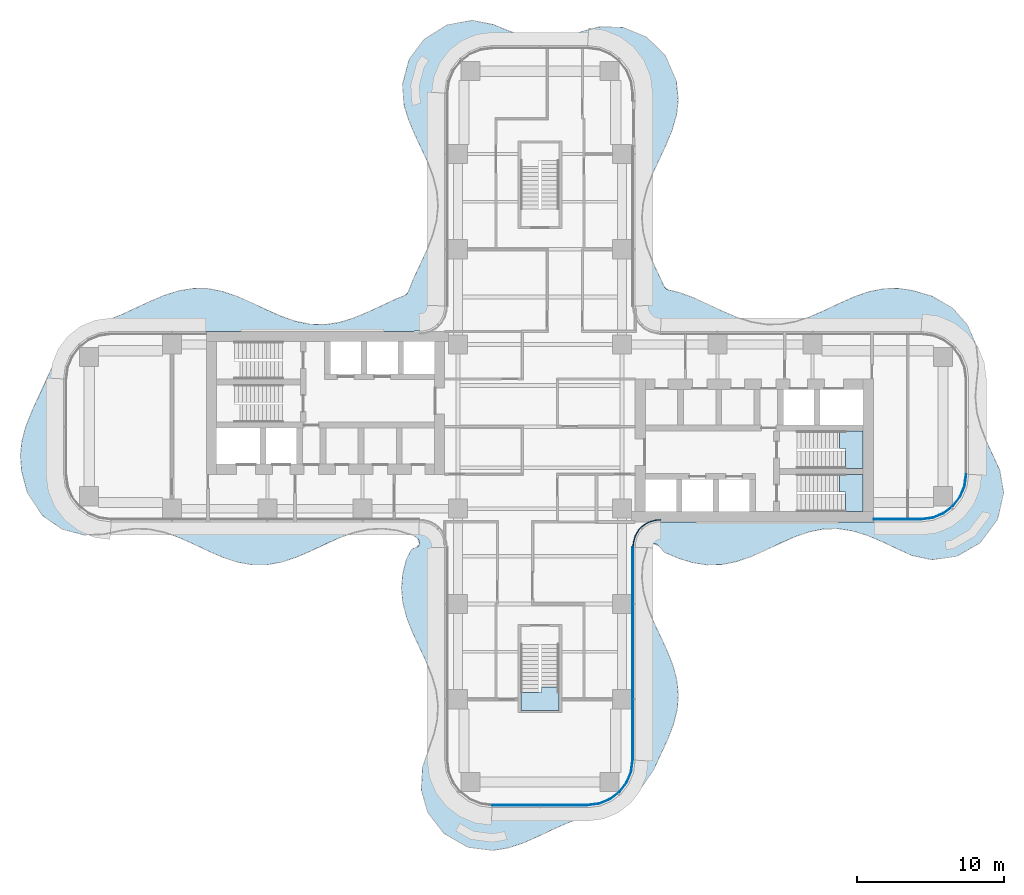
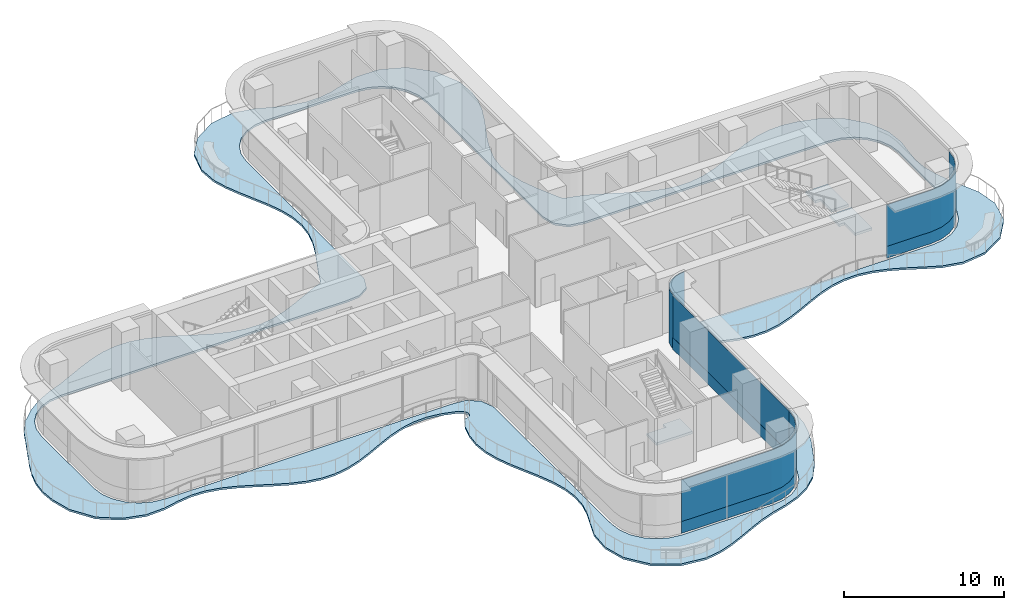
# One storey, part 13 of 20: 7 plates, 4 slabs, 7 elements without a shape of their own.
"""IFC4 building model written with IfcOpenShell, lengths in metres."""

from ifc_helpers import new_model, si_unit, direction, frame, origin, place, context, subcontext, project, spatial, polyline, outline, extrude, source, transform, mapped, material, layer, layer_set, type_object, element, aggregate, save


model = new_model("IFC4")

# Units and contexts
model_context = context("Model", 3, precision=1e-05, world=origin(), true_north=direction((0.0, 1.0)))
body_context = subcontext(model_context, "Body", "Model", "MODEL_VIEW")
ifc_project = project(units=[si_unit("LENGTHUNIT", "METRE"), si_unit("AREAUNIT", "SQUARE_METRE"), si_unit("VOLUMEUNIT", "CUBIC_METRE"), si_unit("PLANEANGLEUNIT", "RADIAN"), si_unit("MASSUNIT", "GRAM", prefix="KILO")], contexts=[model_context])

# Site, building, storey
site_placement = place(None, origin())
site = spatial("IfcSite", under=ifc_project, at=site_placement, CompositionType="ELEMENT")
building_placement = place(site_placement, origin())
building = spatial("IfcBuilding", under=site, at=building_placement, Name="Trellis Farm Tower", CompositionType="ELEMENT")
storey_placement = place(building_placement, frame((0.0, 0.0, 129.0)))
storey = spatial("IfcBuildingStorey", under=building, at=storey_placement, Name="L27", CompositionType="ELEMENT", Elevation=129.0)

# Slab
ifc_material_1 = material(Name="Concrete C40/50", Category="concrete")
ifc_layer_1 = layer(ifc_material_1, 0.14990234375)
ifc_layer_set_1 = layer_set([ifc_layer_1], Name="Balcony slab 150")
slab_type_1 = type_object("IfcSlabType", Name="Balcony slab 150", PredefinedType="FLOOR", material=ifc_layer_set_1)
slab_1_placement = place(storey_placement, frame((0.0, 0.0, -0.14990234375)))
element("IfcSlab", 1, at=slab_1_placement, inside=storey, type_object=slab_type_1, Name="Balcony slab", PredefinedType="FLOOR", context=body_context, shape_type="SweptSolid", body=[
    extrude(outline(polyline([(-25.611328125, -7.214111328125), (-26.648681640625, -6.99609375), (-26.66162109375, -6.994384765625), (-27.646484375, -6.962158203125), (-27.659423828125, -6.962890625), (-28.62890625, -7.1005859375), (-28.634521484375, -7.1015625), (-29.731689453125, -7.33984375), (-29.75732421875, -7.343017578125), (-31.07080078125, -7.397216796875), (-31.115478515625, -7.39208984375), (-32.5546875, -7.009521484375), (-32.6005859375, -6.98828125), (-33.923583984375, -6.084716796875), (-33.946044921875, -6.06591796875), (-33.972412109375, -6.039306640625), (-33.990966796875, -6.01611328125), (-34.96044921875, -4.528564453125), (-34.979736328125, -4.485107421875), (-35.3623046875, -3.04443359375), (-35.366943359375, -3.017578125), (-35.447021484375, -1.99169921875), (-35.44677734375, -1.964599609375), (-35.34716796875, -0.9951171875), (-35.3427734375, -0.9716796875), (-35.08251953125, 0.001220703125), (-35.076904296875, 0.017333984375), (-34.6904296875, 0.99755859375), (-34.68701171875, 1.005615234375), (-33.76123046875, 2.999267578125), (-33.7607421875, 3.0), (-33.252197265625, 4.1357421875), (-33.239013671875, 4.1591796875), (-32.529296875, 5.19921875), (-32.509033203125, 5.222900390625), (-31.691162109375, 6.006103515625), (-31.673583984375, 6.0205078125), (-30.75927734375, 6.664794921875), (-30.739501953125, 6.676513671875), (-29.72265625, 7.18115234375), (-29.710205078125, 7.1865234375), (-28.61181640625, 7.613037109375), (-28.607421875, 7.614990234375), (-26.63037109375, 8.53271484375), (-26.6259765625, 8.534912109375), (-25.642578125, 8.95361328125), (-25.62890625, 8.95849609375), (-24.62939453125, 9.2734375), (-24.607666015625, 9.278564453125), (-23.632080078125, 9.432861328125), (-23.605712890625, 9.4345703125), (-22.635498046875, 9.415283203125), (-22.610107421875, 9.41259765625), (-21.66259765625, 9.2294921875), (-21.642822265625, 9.22412109375), (-20.643310546875, 8.884033203125), (-20.631103515625, 8.87939453125), (-19.6513671875, 8.447998046875), (-19.6474609375, 8.4462890625), (-18.655517578125, 7.974365234375), (-18.653564453125, 7.973388671875), (-17.66943359375, 7.53759765625), (-17.663818359375, 7.535400390625), (-16.68359375, 7.195068359375), (-16.674072265625, 7.1923828125), (-15.695556640625, 6.99365234375), (-15.682861328125, 6.9921875), (-14.700439453125, 6.963134765625), (-14.687255859375, 6.9638671875), (-13.697265625, 7.111083984375), (-13.68603515625, 7.11376953125), (-12.65673828125, 7.431396484375), (-12.649658203125, 7.43408203125), (-11.68017578125, 7.843505859375), (-11.677734375, 7.8447265625), (-9.689208984375, 8.76904296875), (-9.6787109375, 8.7734375), (-9.220947265625, 8.94482421875), (-9.20703125, 8.951904296875), (-9.104736328125, 9.0166015625), (-9.0830078125, 9.0380859375), (-9.015625, 9.138427734375), (-9.00830078125, 9.152099609375), (-8.656494140625, 10.02734375), (-8.6533203125, 10.034912109375), (-7.731201171875, 12.00927734375), (-7.7294921875, 12.01318359375), (-7.338134765625, 12.994873046875), (-7.33544921875, 13.003173828125), (-7.056396484375, 14.035888671875), (-7.05419921875, 14.0478515625), (-6.953857421875, 15.035888671875), (-6.95361328125, 15.04931640625), (-7.030029296875, 16.030029296875), (-7.031982421875, 16.0419921875), (-7.272216796875, 17.0205078125), (-7.27490234375, 17.029052734375), (-7.646484375, 18.010009765625), (-7.6484375, 18.014892578125), (-8.567626953125, 19.9892578125), (-8.570068359375, 19.994384765625), (-8.982177734375, 20.977294921875), (-8.9873046875, 20.9912109375), (-9.2822265625, 21.95361328125), (-9.28857421875, 21.987548828125), (-9.38037109375, 23.330322265625), (-9.37548828125, 23.37890625), (-8.942138671875, 25.0126953125), (-8.93212890625, 25.039794921875), (-8.91552734375, 25.073486328125), (-8.900390625, 25.09814453125), (-7.9130859375, 26.40673828125), (-7.894287109375, 26.427001953125), (-7.867919921875, 26.451416015625), (-7.845947265625, 26.468017578125), (-6.37060546875, 27.385009765625), (-6.345458984375, 27.3974609375), (-6.311279296875, 27.41064453125), (-6.2841796875, 27.418212890625), (-4.66455078125, 27.71435546875), (-4.636474609375, 27.716796875), (-4.599609375, 27.716552734375), (-4.571533203125, 27.713623046875), (-3.20458984375, 27.441162109375), (-3.177001953125, 27.432861328125), (-2.13671875, 27.00537109375), (-2.132080078125, 27.003662109375), (-1.15478515625, 26.674072265625), (-1.14453125, 26.67138671875), (-0.105712890625, 26.47900390625), (-0.092529296875, 26.477783203125), (0.891357421875, 26.472900390625), (0.904052734375, 26.473876953125), (1.833740234375, 26.629638671875), (1.843994140625, 26.632080078125), (2.86181640625, 26.955078125), (2.867431640625, 26.956787109375), (4.02197265625, 27.2734375), (4.065185546875, 27.27880859375), (5.606689453125, 27.244140625), (5.6337890625, 27.2412109375), (5.667724609375, 27.23388671875), (5.693359375, 27.226318359375), (7.20751953125, 26.612060546875), (7.2333984375, 26.598388671875), (7.264892578125, 26.577880859375), (7.287841796875, 26.5595703125), (8.531005859375, 25.34228515625), (8.54931640625, 25.3203125), (8.5703125, 25.2900390625), (8.584716796875, 25.264404296875), (9.298095703125, 23.613037109375), (9.3095703125, 23.56884765625), (9.442138671875, 22.285400390625), (9.44189453125, 22.251708984375), (9.322021484375, 21.27685546875), (9.317138671875, 21.253662109375), (9.029296875, 20.25390625), (9.02392578125, 20.238525390625), (8.622314453125, 19.257080078125), (8.619384765625, 19.25048828125), (7.69775390625, 17.276123046875), (7.69580078125, 17.271728515625), (7.312255859375, 16.29052734375), (7.3095703125, 16.281982421875), (7.042236328125, 15.248291015625), (7.040283203125, 15.236083984375), (6.953369140625, 14.248779296875), (6.953369140625, 14.2353515625), (7.043212890625, 13.2548828125), (7.045166015625, 13.2431640625), (7.297119140625, 12.2646484375), (7.299560546875, 12.25634765625), (7.67919921875, 11.275146484375), (7.68115234375, 11.2705078125), (8.489013671875, 9.536865234375), (8.497802734375, 9.522216796875), (8.57958984375, 9.418701171875), (8.60546875, 9.397705078125), (8.724365234375, 9.34033203125), (8.740234375, 9.334716796875), (9.420166015625, 9.1796875), (9.437744140625, 9.174560546875), (10.404052734375, 8.82666015625), (10.414794921875, 8.822265625), (11.40966796875, 8.375), (11.41259765625, 8.373779296875), (12.4140625, 7.898193359375), (12.41650390625, 7.897216796875), (13.41845703125, 7.466064453125), (13.425048828125, 7.463623046875), (14.4228515625, 7.141845703125), (14.433349609375, 7.13916015625), (15.424560546875, 6.97216796875), (15.4375, 6.97119140625), (16.420654296875, 6.97998046875), (16.43359375, 6.981201171875), (17.412353515625, 7.1611328125), (17.42236328125, 7.163818359375), (18.402099609375, 7.489990234375), (18.408203125, 7.4921875), (19.381103515625, 7.915283203125), (19.38330078125, 7.916259765625), (20.384765625, 8.39208984375), (20.387939453125, 8.393310546875), (21.38232421875, 8.838134765625), (21.3935546875, 8.842529296875), (22.380126953125, 9.191650390625), (22.3994140625, 9.197021484375), (23.37744140625, 9.402099609375), (23.40283203125, 9.4052734375), (24.3740234375, 9.439697265625), (24.400634765625, 9.4384765625), (25.369873046875, 9.30029296875), (25.3896484375, 9.2958984375), (26.68994140625, 8.927978515625), (26.72412109375, 8.91357421875), (28.113037109375, 8.1123046875), (28.150634765625, 8.081298828125), (29.162841796875, 6.93359375), (29.188232421875, 6.893310546875), (29.76611328125, 5.54638671875), (29.777587890625, 5.502197265625), (29.910888671875, 4.18017578125), (29.91064453125, 4.148193359375), (29.779541015625, 2.989990234375), (29.779296875, 2.987548828125), (29.703369140625, 2.03173828125), (29.70361328125, 2.0185546875), (29.80712890625, 0.975830078125), (29.809326171875, 0.9638671875), (30.072509765625, -0.0146484375), (30.0751953125, -0.022705078125), (30.454345703125, -0.985107421875), (30.4560546875, -0.989013671875), (31.37158203125, -2.97021484375), (31.38330078125, -3.0078125), (31.632080078125, -4.470703125), (31.63427734375, -4.50048828125), (31.633056640625, -4.5380859375), (31.62939453125, -4.567138671875), (31.22802734375, -6.307373046875), (31.218017578125, -6.3369140625), (31.200927734375, -6.373291015625), (31.18505859375, -6.39990234375), (30.08837890625, -7.867431640625), (30.068115234375, -7.8896484375), (30.0390625, -7.91552734375), (30.0146484375, -7.93310546875), (28.46435546875, -8.8359375), (28.437255859375, -8.848388671875), (28.40087890625, -8.860595703125), (28.372314453125, -8.867431640625), (26.7529296875, -9.08203125), (26.726806640625, -9.0830078125), (26.692626953125, -9.081787109375), (26.66650390625, -9.078125), (25.401611328125, -8.797607421875), (25.37255859375, -8.787841796875), (24.37451171875, -8.33837890625), (24.371826171875, -8.33740234375), (23.3701171875, -7.862548828125), (23.3671875, -7.861328125), (22.365478515625, -7.4365234375), (22.358642578125, -7.43408203125), (21.361328125, -7.122802734375), (21.350341796875, -7.120361328125), (20.360107421875, -6.96630859375), (20.3466796875, -6.965576171875), (19.364013671875, -6.98779296875), (19.351318359375, -6.9892578125), (18.372802734375, -7.181640625), (18.363037109375, -7.184326171875), (17.383056640625, -7.52001953125), (17.377197265625, -7.5224609375), (16.402587890625, -7.951416015625), (16.400634765625, -7.952392578125), (15.39990234375, -8.42822265625), (15.39599609375, -8.429931640625), (14.402099609375, -8.869384765625), (14.390380859375, -8.873779296875), (13.404541015625, -9.21337890625), (13.384521484375, -9.21875), (12.4072265625, -9.411376953125), (12.381591796875, -9.414306640625), (11.41064453125, -9.435302734375), (11.38427734375, -9.433349609375), (10.414306640625, -9.281982421875), (10.392822265625, -9.27685546875), (9.435546875, -8.9794921875), (9.420654296875, -8.973876953125), (8.50341796875, -8.577392578125), (8.471435546875, -8.55859375), (8.434326171875, -8.5302734375), (8.408203125, -8.50439453125), (8.143310546875, -8.169677734375), (8.133544921875, -8.159423828125), (8.04638671875, -8.083740234375), (8.03515625, -8.07568359375), (7.949951171875, -8.02587890625), (7.927978515625, -8.017333984375), (7.749267578125, -7.97900390625), (7.703857421875, -7.98388671875), (7.537353515625, -8.05908203125), (7.517578125, -8.072021484375), (7.340087890625, -8.234619140625), (7.326416015625, -8.251708984375), (7.23388671875, -8.408203125), (7.2255859375, -8.428955078125), (7.01708984375, -9.31298828125), (7.01513671875, -9.32568359375), (6.95556640625, -10.310791015625), (6.9560546875, -10.323974609375), (7.0615234375, -11.249755859375), (7.063720703125, -11.26123046875), (7.3486328125, -12.293701171875), (7.351318359375, -12.3017578125), (7.746337890625, -13.28369140625), (7.747802734375, -13.287353515625), (8.670166015625, -15.261962890625), (8.673583984375, -15.27001953125), (9.06396484375, -16.250244140625), (9.0693359375, -16.26611328125), (9.335205078125, -17.239013671875), (9.33984375, -17.2626953125), (9.446533203125, -18.26318359375), (9.447021484375, -18.290283203125), (9.373779296875, -19.259521484375), (9.3701171875, -19.283935546875), (9.132568359375, -20.255859375), (9.127197265625, -20.2734375), (8.757080078125, -21.251953125), (8.752685546875, -21.261962890625), (7.764404296875, -23.39111328125), (7.75244140625, -23.412353515625), (6.96435546875, -24.568603515625), (6.940673828125, -24.595458984375), (6.04736328125, -25.399169921875), (6.022216796875, -25.41748046875), (5.02685546875, -25.993408203125), (5.004150390625, -26.004150390625), (3.94287109375, -26.400634765625), (3.929931640625, -26.40478515625), (2.87548828125, -26.6923828125), (2.87060546875, -26.69384765625), (1.88037109375, -27.040283203125), (1.874755859375, -27.04248046875), (0.8720703125, -27.48779296875), (0.870361328125, -27.488525390625), (-0.130126953125, -27.964111328125), (-0.134521484375, -27.966064453125), (-1.127685546875, -28.39990234375), (-1.14013671875, -28.40478515625), (-2.1259765625, -28.73388671875), (-2.148681640625, -28.73974609375), (-3.18212890625, -28.912109375), (-3.22509765625, -28.912841796875), (-4.84130859375, -28.71435546875), (-4.87060546875, -28.70751953125), (-4.906494140625, -28.695556640625), (-4.93359375, -28.68359375), (-6.5185546875, -27.77490234375), (-6.542724609375, -27.757568359375), (-6.57177734375, -27.732177734375), (-6.592041015625, -27.71044921875), (-7.650634765625, -26.32470703125), (-7.666015625, -26.300048828125), (-7.6826171875, -26.2666015625), (-7.69287109375, -26.239501953125), (-8.092041015625, -24.770263671875), (-8.09716796875, -24.7216796875), (-8.005859375, -23.20849609375), (-7.997802734375, -23.167724609375), (-7.2265625, -20.974365234375), (-7.22412109375, -20.9658203125), (-7.013916015625, -20.0302734375), (-7.01220703125, -20.01806640625), (-6.9560546875, -19.03662109375), (-6.95654296875, -19.023193359375), (-7.0771484375, -18.0341796875), (-7.07958984375, -18.02294921875), (-7.36328125, -17.026611328125), (-7.365966796875, -17.018798828125), (-7.780517578125, -16.00146484375), (-7.781982421875, -15.998046875), (-8.707763671875, -14.013671875), (-8.711669921875, -14.00439453125), (-9.09619140625, -13.015625), (-9.1015625, -12.998779296875), (-9.35498046875, -12.018310546875), (-9.35888671875, -11.994140625), (-9.447509765625, -11.021240234375), (-9.447509765625, -10.994384765625), (-9.361083984375, -10.02490234375), (-9.35693359375, -10.001220703125), (-9.119384765625, -9.068359375), (-9.106201171875, -9.034912109375), (-8.754150390625, -8.374267578125), (-8.711181640625, -8.324462890625), (-8.70947265625, -8.322998046875), (-8.650146484375, -8.29638671875), (-8.48095703125, -8.261474609375), (-8.460693359375, -8.254150390625), (-8.313720703125, -8.17529296875), (-8.283935546875, -8.145751953125), (-8.209228515625, -8.0087890625), (-8.200439453125, -7.968017578125), (-8.212646484375, -7.8125), (-8.227783203125, -7.7734375), (-8.32958984375, -7.641357421875), (-8.344970703125, -7.62646484375), (-8.627685546875, -7.422119140625), (-8.638671875, -7.41552734375), (-8.733154296875, -7.369384765625), (-8.7451171875, -7.364501953125), (-9.699462890625, -7.087646484375), (-9.710693359375, -7.085205078125), (-10.699951171875, -6.9580078125), (-10.71337890625, -6.95751953125), (-11.69482421875, -7.0068359375), (-11.70751953125, -7.008544921875), (-12.685791015625, -7.225341796875), (-12.695068359375, -7.22802734375), (-13.650390625, -7.572021484375), (-13.65576171875, -7.57421875), (-14.65869140625, -8.0244140625), (-14.66015625, -8.025146484375), (-15.659912109375, -8.5), (-15.6650390625, -8.502197265625), (-16.65771484375, -8.929931640625), (-16.670654296875, -8.934814453125), (-17.6552734375, -9.25439453125), (-17.67626953125, -9.259521484375), (-18.652587890625, -9.4267578125), (-18.6787109375, -9.428955078125), (-19.64892578125, -9.4228515625), (-19.675048828125, -9.42041015625), (-20.645263671875, -9.24365234375), (-20.66552734375, -9.23828125), (-21.6416015625, -8.914306640625), (-21.654052734375, -8.909423828125), (-22.637939453125, -8.481689453125), (-22.642578125, -8.4794921875), (-23.630126953125, -8.01025390625), (-23.631591796875, -8.009521484375), (-24.615966796875, -7.568603515625), (-24.621337890625, -7.56640625), (-25.6015625, -7.216796875), (-25.611328125, -7.214111328125)]), holes=[polyline([(-6.529541015625, 7.9912109375), (-6.84375, 7.191650390625), (-6.8671875, 7.151611328125), (-6.903564453125, 7.107177734375), (-6.938232421875, 7.076171875), (-7.642578125, 6.6201171875), (-7.67529296875, 6.604248046875), (-7.718994140625, 6.589111328125), (-7.7548828125, 6.58154296875), (-8.682373046875, 6.50048828125), (-29.25, 6.50048828125), (-30.09130859375, 6.389892578125), (-30.875244140625, 6.065185546875), (-31.548583984375, 5.548583984375), (-32.065185546875, 4.875244140625), (-32.389892578125, 4.09130859375), (-32.50048828125, 3.25), (-32.50048828125, -3.25), (-32.389892578125, -4.09130859375), (-32.065185546875, -4.875244140625), (-31.548583984375, -5.548583984375), (-30.875244140625, -6.065185546875), (-30.09130859375, -6.389892578125), (-29.25, -6.50048828125), (-8.682373046875, -6.50048828125), (-7.7548828125, -6.58154296875), (-7.718994140625, -6.589111328125), (-7.67529296875, -6.604248046875), (-7.642578125, -6.6201171875), (-6.938232421875, -7.076171875), (-6.903564453125, -7.107177734375), (-6.8671875, -7.151611328125), (-6.84375, -7.191650390625), (-6.529541015625, -7.9912109375), (-6.52197265625, -8.01708984375), (-6.51513671875, -8.0517578125), (-6.512451171875, -8.07861328125), (-6.50048828125, -8.98486328125), (-6.50048828125, -22.75), (-6.389892578125, -23.59130859375), (-6.065185546875, -24.375244140625), (-5.548583984375, -25.048583984375), (-4.875244140625, -25.565185546875), (-4.09130859375, -25.889892578125), (-3.25, -26.00048828125), (3.25, -26.00048828125), (4.09130859375, -25.889892578125), (4.875244140625, -25.565185546875), (5.548583984375, -25.048583984375), (6.065185546875, -24.375244140625), (6.389892578125, -23.59130859375), (6.50048828125, -22.75), (6.50048828125, -8.326416015625), (6.504150390625, -8.29638671875), (6.718017578125, -7.40869140625), (6.734375, -7.367919921875), (6.761474609375, -7.32177734375), (6.78857421875, -7.2880859375), (7.39697265625, -6.719970703125), (7.432373046875, -6.6953125), (7.48046875, -6.67138671875), (7.521728515625, -6.657958984375), (8.4248046875, -6.502197265625), (8.443115234375, -6.50048828125), (26.0, -6.50048828125), (26.84130859375, -6.389892578125), (27.625244140625, -6.065185546875), (28.298583984375, -5.548583984375), (28.815185546875, -4.875244140625), (29.139892578125, -4.09130859375), (29.25048828125, -3.25), (29.25048828125, 3.25), (29.139892578125, 4.09130859375), (28.815185546875, 4.875244140625), (28.298583984375, 5.548583984375), (27.625244140625, 6.065185546875), (26.84130859375, 6.389892578125), (26.0, 6.50048828125), (8.443115234375, 6.50048828125), (8.4248046875, 6.502197265625), (7.521728515625, 6.657958984375), (7.48046875, 6.67138671875), (7.432373046875, 6.6953125), (7.39697265625, 6.719970703125), (6.78857421875, 7.2880859375), (6.761474609375, 7.32177734375), (6.734375, 7.367919921875), (6.718017578125, 7.40869140625), (6.504150390625, 8.29638671875), (6.50048828125, 8.326416015625), (6.50048828125, 22.75), (6.389892578125, 23.59130859375), (6.065185546875, 24.375244140625), (5.548583984375, 25.048583984375), (4.875244140625, 25.565185546875), (4.09130859375, 25.889892578125), (3.25, 26.00048828125), (-3.25, 26.00048828125), (-4.09130859375, 25.889892578125), (-4.875244140625, 25.565185546875), (-5.548583984375, 25.048583984375), (-6.065185546875, 24.375244140625), (-6.389892578125, 23.59130859375), (-6.50048828125, 22.75), (-6.50048828125, 8.98486328125), (-6.512451171875, 8.07861328125), (-6.51513671875, 8.0517578125), (-6.52197265625, 8.01708984375), (-6.529541015625, 7.9912109375)])]), origin(), (0.0, 0.0, 1.0), 0.14990234375),
])

# Stair, slab
ifc_material_2 = material(Name="Concrete C50/60", Category="concrete")
stair_type = type_object("IfcStairType", Name="CORE EXIT STAIR 26 RISERS 173 MM", PredefinedType="HALF_TURN_STAIR", material=ifc_material_2)
placement_1 = place(storey_placement, origin())
stair_1 = element("IfcStair", 2, at=placement_1, inside=storey, type_object=stair_type, Name="Exit stair S", PredefinedType="HALF_TURN_STAIR")
ifc_layer_2 = layer(ifc_material_2, 0.18994140625)
ifc_layer_set_2 = layer_set([ifc_layer_2], Name="CORE STAIR LANDING 190 CONCRETE C50/60")
slab_type_2 = type_object("IfcSlabType", Name="CORE STAIR LANDING 190 CONCRETE C50/60", PredefinedType="LANDING", material=ifc_layer_set_2)
shared_shape_1 = source(origin(), body_context, "Body", "SweptSolid", [
    extrude(outline(polyline([(1.300048828125, -19.35009765625), (-1.300048828125, -19.35009765625), (-1.300048828125, -18.14990234375), (-1.300048828125, -18.139892578125), (-0.10009765625, -18.139892578125), (-0.10009765625, -18.14990234375), (0.10009765625, -18.14990234375), (0.10009765625, -17.753173828125), (1.300048828125, -17.753173828125), (1.300048828125, -18.14990234375), (1.300048828125, -19.35009765625)])), origin(), (0.0, 0.0, 1.0), 0.18994140625),
])
placement_2 = place(storey_placement, frame((0.0, 0.0, 2.06005859375)))
slab_2 = element("IfcSlab", 3, at=placement_2, type_object=slab_type_2, Name="STS landing 1", PredefinedType="LANDING", context=body_context, shape_type="MappedRepresentation", body=[
    mapped(shared_shape_1, transform((0.0, 0.0, 0.0))),
])
aggregate(stair_1, [slab_2])

stair_2 = element("IfcStair", 4, at=placement_1, inside=storey, type_object=stair_type, Name="Exit stair E1", PredefinedType="HALF_TURN_STAIR")
shared_shape_2 = source(origin(), body_context, "Body", "SweptSolid", [
    extrude(outline(polyline([(20.840087890625, -5.800048828125), (20.840087890625, -4.60009765625), (20.85009765625, -4.60009765625), (20.85009765625, -4.449951171875), (20.453125, -4.449951171875), (20.453125, -3.25), (20.85009765625, -3.25), (22.050048828125, -3.25), (22.050048828125, -5.800048828125), (20.85009765625, -5.800048828125), (20.840087890625, -5.800048828125)])), origin(), (0.0, 0.0, 1.0), 0.18994140625),
])
slab_3 = element("IfcSlab", 5, at=placement_2, type_object=slab_type_2, Name="STE1 landing 1", PredefinedType="LANDING", context=body_context, shape_type="MappedRepresentation", body=[
    mapped(shared_shape_2, transform((0.0, 0.0, 0.0))),
])
aggregate(stair_2, [slab_3])

stair_3 = element("IfcStair", 6, at=placement_1, inside=storey, type_object=stair_type, Name="Exit stair E2", PredefinedType="HALF_TURN_STAIR")
shared_shape_3 = source(origin(), body_context, "Body", "SweptSolid", [
    extrude(outline(polyline([(20.840087890625, -2.85009765625), (20.840087890625, -1.64990234375), (20.85009765625, -1.64990234375), (20.85009765625, -1.5), (20.453125, -1.5), (20.453125, -0.300048828125), (20.85009765625, -0.300048828125), (22.050048828125, -0.300048828125), (22.050048828125, -2.85009765625), (20.85009765625, -2.85009765625), (20.840087890625, -2.85009765625)])), origin(), (0.0, 0.0, 1.0), 0.18994140625),
])
slab_4 = element("IfcSlab", 7, at=placement_2, type_object=slab_type_2, Name="STE2 landing 1", PredefinedType="LANDING", context=body_context, shape_type="MappedRepresentation", body=[
    mapped(shared_shape_3, transform((0.0, 0.0, 0.0))),
])
aggregate(stair_3, [slab_4])

# Curtain wall, plate
ifc_material_3 = material(Name="Aluminium and glass curtain wall", Category="aluminium")
ifc_layer_3 = layer(ifc_material_3, 0.166015625)
ifc_layer_set_3 = layer_set([ifc_layer_3], Name="WINTER GARDEN CURTAIN WALL CW3")
curtain_wall_type_1 = type_object("IfcCurtainWallType", Name="WINTER GARDEN CURTAIN WALL CW3", PredefinedType="NOTDEFINED", material=ifc_layer_set_3)
curtain_wall_1 = element("IfcCurtainWall", 8, at=placement_1, inside=storey, type_object=curtain_wall_type_1, Name="CW3 002", PredefinedType="NOTDEFINED")
ifc_material_4 = material(Name="Clear insulated glass", Category="glass")
ifc_layer_4 = layer(ifc_material_4, 0.0458984375)
ifc_layer_set_4 = layer_set([ifc_layer_4], Name="CW3 GLASS PANEL 46")
plate_type_1 = type_object("IfcPlateType", Name="CW3 GLASS PANEL 46", PredefinedType="CURTAIN_PANEL", material=ifc_layer_set_4)
shared_shape_4 = source(origin(), body_context, "Body", "SweptSolid", [
    extrude(outline(polyline([(6.3798828125, -8.2275390625), (6.394287109375, -8.0078125), (6.40966796875, -7.89208984375), (6.52490234375, -7.462158203125), (6.7509765625, -7.070556640625), (7.070556640625, -6.7509765625), (7.462158203125, -6.52490234375), (7.89208984375, -6.40966796875), (8.0078125, -6.394287109375), (8.2275390625, -6.3798828125), (8.22607421875, -6.333984375), (8.003173828125, -6.3486328125), (7.883056640625, -6.364501953125), (7.4443359375, -6.48193359375), (7.04248046875, -6.714111328125), (6.714111328125, -7.04248046875), (6.48193359375, -7.4443359375), (6.364501953125, -7.883056640625), (6.3486328125, -8.003173828125), (6.333984375, -8.22607421875), (6.3798828125, -8.2275390625)])), origin(), (0.0, 0.0, 1.0), 4.10009765625),
])
plate_1 = element("IfcPlate", 9, at=placement_1, type_object=plate_type_1, Name="PL3 002", PredefinedType="CURTAIN_PANEL", context=body_context, shape_type="MappedRepresentation", body=[
    mapped(shared_shape_4, transform((0.0, 0.0, 0.0))),
])
aggregate(curtain_wall_1, [plate_1])

# Curtain wall, plates
ifc_layer_5 = layer(ifc_material_3, 0.18994140625)
ifc_layer_set_5 = layer_set([ifc_layer_5], Name="RIBBON CURTAIN WALL CW1")
curtain_wall_type_2 = type_object("IfcCurtainWallType", Name="RIBBON CURTAIN WALL CW1", PredefinedType="NOTDEFINED", material=ifc_layer_set_5)
curtain_wall_2 = element("IfcCurtainWall", 10, at=placement_1, inside=storey, type_object=curtain_wall_type_2, Name="CW1 005", PredefinedType="NOTDEFINED")
ifc_layer_6 = layer(ifc_material_4, 0.0400390625)
ifc_layer_set_6 = layer_set([ifc_layer_6], Name="CW1 GLASS PANEL 40")
plate_type_2 = type_object("IfcPlateType", Name="CW1 GLASS PANEL 40", PredefinedType="CURTAIN_PANEL", material=ifc_layer_set_6)
shared_shape_5 = source(origin(), body_context, "Body", "SweptSolid", [
    extrude(outline(polyline([(22.780029296875, -6.35009765625), (25.990234375, -6.35009765625), (26.802001953125, -6.2431640625), (27.54931640625, -5.93359375), (28.191162109375, -5.441162109375), (28.68359375, -4.79931640625), (28.9931640625, -4.052001953125), (29.10009765625, -3.240234375), (29.06005859375, -3.237548828125), (28.9541015625, -4.04150390625), (28.648681640625, -4.779296875), (28.16259765625, -5.41259765625), (27.529296875, -5.898681640625), (26.79150390625, -6.2041015625), (25.987548828125, -6.31005859375), (22.780029296875, -6.31005859375), (22.780029296875, -6.35009765625)])), origin(), (0.0, 0.0, 1.0), 3.170166015625),
])
placement_3 = place(storey_placement, frame((0.0, 0.0, 0.89990234375)))
plate_2 = element("IfcPlate", 11, at=placement_3, type_object=plate_type_2, Name="PL1 005", PredefinedType="CURTAIN_PANEL", context=body_context, shape_type="MappedRepresentation", body=[
    mapped(shared_shape_5, transform((0.0, 0.0, 0.0))),
])
ifc_material_5 = material(Name="Sandstone faced insulated panel", Category="masonry")
ifc_layer_7 = layer(ifc_material_5, 0.050048828125)
ifc_layer_set_7 = layer_set([ifc_layer_7], Name="CW1 STONE SPANDREL PANEL 50")
plate_type_3 = type_object("IfcPlateType", Name="CW1 STONE SPANDREL PANEL 50", PredefinedType="CURTAIN_PANEL", material=ifc_layer_set_7)
shared_shape_6 = source(origin(), body_context, "Body", "SweptSolid", [
    extrude(outline(polyline([(22.780029296875, -6.35009765625), (25.990234375, -6.35009765625), (26.802001953125, -6.2431640625), (27.54931640625, -5.93359375), (28.191162109375, -5.441162109375), (28.68359375, -4.79931640625), (28.9931640625, -4.052001953125), (29.10009765625, -3.240234375), (29.050048828125, -3.23681640625), (28.9443359375, -4.0390625), (28.639892578125, -4.774169921875), (28.155517578125, -5.405517578125), (27.524169921875, -5.889892578125), (26.7890625, -6.1943359375), (25.98681640625, -6.300048828125), (22.780029296875, -6.300048828125), (22.780029296875, -6.35009765625)])), origin(), (0.0, 0.0, 1.0), 0.89990234375),
])
plate_3 = element("IfcPlate", 12, at=placement_1, type_object=plate_type_3, Name="PS1 005", PredefinedType="CURTAIN_PANEL", context=body_context, shape_type="MappedRepresentation", body=[
    mapped(shared_shape_6, transform((0.0, 0.0, 0.0))),
])
aggregate(curtain_wall_2, [plate_2, plate_3])

curtain_wall_3 = element("IfcCurtainWall", 13, at=placement_1, inside=storey, type_object=curtain_wall_type_2, Name="CW1 004", PredefinedType="NOTDEFINED")
shared_shape_7 = source(origin(), body_context, "Body", "SweptSolid", [
    extrude(outline(polyline([(6.35009765625, -22.740234375), (6.35009765625, -8.2265625), (6.31005859375, -8.22509765625), (6.31005859375, -22.737548828125), (6.35009765625, -22.740234375)])), origin(), (0.0, 0.0, 1.0), 3.170166015625),
])
plate_4 = element("IfcPlate", 14, at=placement_3, type_object=plate_type_2, Name="PL1 004", PredefinedType="CURTAIN_PANEL", context=body_context, shape_type="MappedRepresentation", body=[
    mapped(shared_shape_7, transform((0.0, 0.0, 0.0))),
])
shared_shape_8 = source(origin(), body_context, "Body", "SweptSolid", [
    extrude(outline(polyline([(6.35009765625, -22.740234375), (6.35009765625, -8.2265625), (6.300048828125, -8.224853515625), (6.300048828125, -22.73681640625), (6.35009765625, -22.740234375)])), origin(), (0.0, 0.0, 1.0), 0.89990234375),
])
plate_5 = element("IfcPlate", 15, at=placement_1, type_object=plate_type_3, Name="PS1 004", PredefinedType="CURTAIN_PANEL", context=body_context, shape_type="MappedRepresentation", body=[
    mapped(shared_shape_8, transform((0.0, 0.0, 0.0))),
])
aggregate(curtain_wall_3, [plate_4, plate_5])

curtain_wall_4 = element("IfcCurtainWall", 16, at=placement_1, inside=storey, type_object=curtain_wall_type_2, Name="CW1 003", PredefinedType="NOTDEFINED")
shared_shape_9 = source(origin(), body_context, "Body", "SweptSolid", [
    extrude(outline(polyline([(-3.240234375, -25.85009765625), (3.240234375, -25.85009765625), (4.052001953125, -25.7431640625), (4.79931640625, -25.43359375), (5.441162109375, -24.941162109375), (5.93359375, -24.29931640625), (6.2431640625, -23.552001953125), (6.35009765625, -22.740234375), (6.31005859375, -22.737548828125), (6.2041015625, -23.54150390625), (5.898681640625, -24.279296875), (5.41259765625, -24.91259765625), (4.779296875, -25.398681640625), (4.04150390625, -25.7041015625), (3.237548828125, -25.81005859375), (-3.237548828125, -25.81005859375), (-3.240234375, -25.85009765625)])), origin(), (0.0, 0.0, 1.0), 3.170166015625),
])
plate_6 = element("IfcPlate", 17, at=placement_3, type_object=plate_type_2, Name="PL1 003", PredefinedType="CURTAIN_PANEL", context=body_context, shape_type="MappedRepresentation", body=[
    mapped(shared_shape_9, transform((0.0, 0.0, 0.0))),
])
shared_shape_10 = source(origin(), body_context, "Body", "SweptSolid", [
    extrude(outline(polyline([(-3.240234375, -25.85009765625), (3.240234375, -25.85009765625), (4.052001953125, -25.7431640625), (4.79931640625, -25.43359375), (5.441162109375, -24.941162109375), (5.93359375, -24.29931640625), (6.2431640625, -23.552001953125), (6.35009765625, -22.740234375), (6.300048828125, -22.73681640625), (6.1943359375, -23.5390625), (5.889892578125, -24.274169921875), (5.405517578125, -24.905517578125), (4.774169921875, -25.389892578125), (4.0390625, -25.6943359375), (3.23681640625, -25.800048828125), (-3.23681640625, -25.800048828125), (-3.240234375, -25.85009765625)])), origin(), (0.0, 0.0, 1.0), 0.89990234375),
])
plate_7 = element("IfcPlate", 18, at=placement_1, type_object=plate_type_3, Name="PS1 003", PredefinedType="CURTAIN_PANEL", context=body_context, shape_type="MappedRepresentation", body=[
    mapped(shared_shape_10, transform((0.0, 0.0, 0.0))),
])
aggregate(curtain_wall_4, [plate_6, plate_7])

save(model, "model.ifc")
